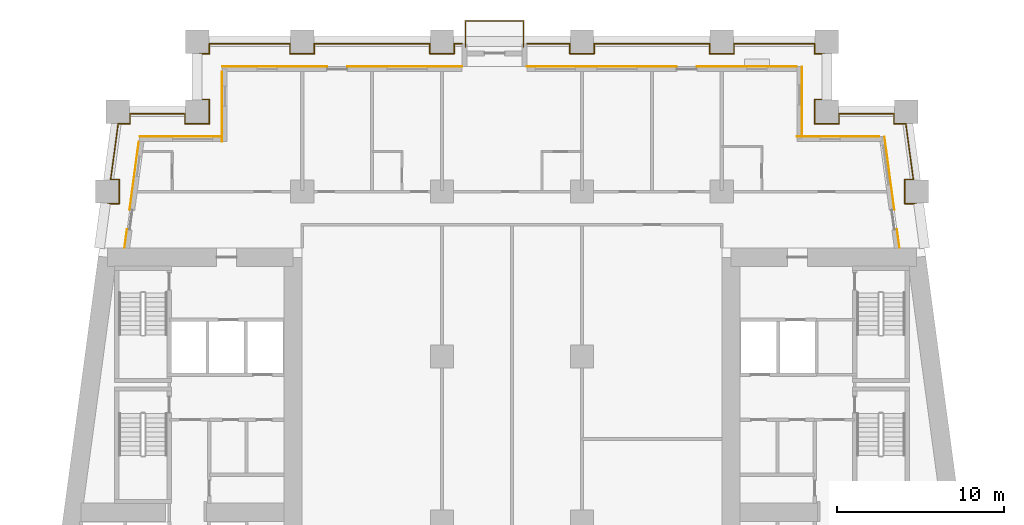
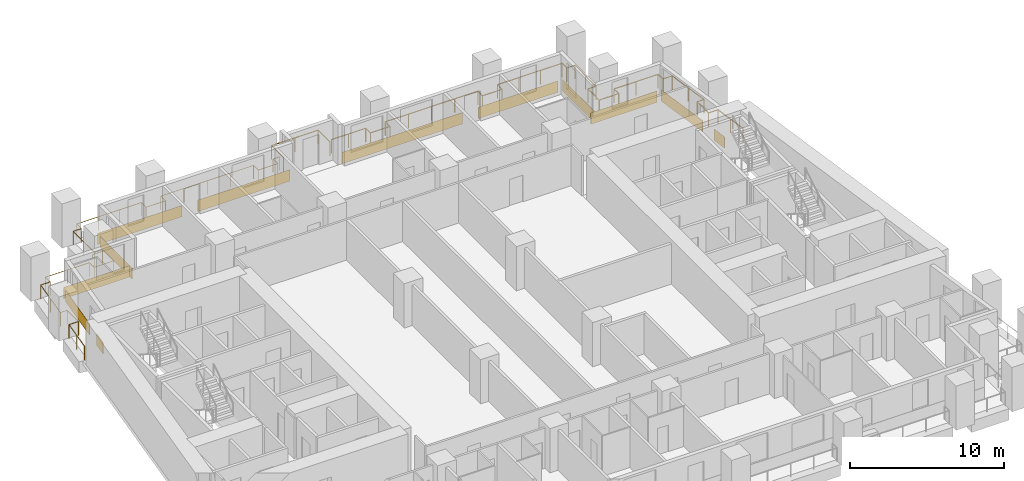
# One storey, part 12 of 13: 12 coverings, 3 railings.
"""IFC4 building model written with IfcOpenShell, lengths in metres."""

from ifc_helpers import new_model, si_unit, direction, frame, origin, origin_2d, place, context, subcontext, project, spatial, rectangle, circle, extrude, material, layer, layer_set, type_object, element, save


model = new_model("IFC4")

# Units and contexts
model_context = context("Model", 3, precision=1e-05, world=origin(), true_north=direction((0.0, 1.0)))
body_context = subcontext(model_context, "Body", "Model", "MODEL_VIEW")
ifc_project = project(units=[si_unit("LENGTHUNIT", "METRE"), si_unit("AREAUNIT", "SQUARE_METRE"), si_unit("VOLUMEUNIT", "CUBIC_METRE"), si_unit("PLANEANGLEUNIT", "RADIAN"), si_unit("MASSUNIT", "GRAM", prefix="KILO")], contexts=[model_context])

# Site, building, storey
site_placement = place(None, origin())
site = spatial("IfcSite", under=ifc_project, at=site_placement, CompositionType="ELEMENT")
building_placement = place(site_placement, origin())
building = spatial("IfcBuilding", under=site, at=building_placement, Name="Candeia Pilgrim Tower and Theatre", CompositionType="ELEMENT")
storey_placement = place(building_placement, frame((0.0, 0.0, 67.0)))
storey = spatial("IfcBuildingStorey", under=building, at=storey_placement, Name="L14", CompositionType="ELEMENT", Elevation=67.0)

# Railings
ifc_material_1 = material(Name="Stainless steel balustrade", Category="steel")
railing_type = type_object("IfcRailingType", Name="G1 loggia guard 1100", PredefinedType="GUARDRAIL", material=ifc_material_1)
railing_1_placement = place(storey_placement, frame((88.758544921875, 132.449951171875, 0.0)))
element("IfcRailing", 1, at=railing_1_placement, inside=storey, type_object=railing_type, Name="Guard L14.2", PredefinedType="GUARDRAIL", context=body_context, shape_type="SweptSolid", body=[
    extrude(circle(Radius=0.02392578125, at=origin_2d()), frame((0.0, 0.0, 1.076171875), z_axis=(0.133439920495, 0.991056904329, 0.0), x_axis=(-0.991056904329, 0.133439920495, 0.0)), (0.0, 0.0, 1.0), 2.643798828125),
    extrude(circle(Radius=0.02392578125, at=origin_2d()), frame((0.352783203125, 2.6201171875, 1.076171875), z_axis=(1.0, 0.0, 0.0), x_axis=(0.0, 1.0, 0.0)), (0.0, 0.0, 1.0), 0.70703125),
    extrude(circle(Radius=0.02392578125, at=origin_2d()), frame((1.059814453125, 2.6201171875, 1.076171875), z_axis=(0.0, 1.0, 0.0), x_axis=(-1.0, 0.0, 0.0)), (0.0, 0.0, 1.0), 1.4599609375),
    extrude(circle(Radius=0.02392578125, at=origin_2d()), frame((1.059814453125, 4.080078125, 1.076171875), z_axis=(-1.0, 0.0, 0.0), x_axis=(0.0, -1.0, 0.0)), (0.0, 0.0, 1.0), 0.510498046875),
    extrude(circle(Radius=0.02392578125, at=origin_2d()), frame((0.54931640625, 4.080078125, 1.076171875), z_axis=(0.133364121373, 0.991067107279, 0.0), x_axis=(-0.991067107279, 0.133364121373, 0.0)), (0.0, 0.0, 1.0), 3.3701171875),
    extrude(circle(Radius=0.02392578125, at=origin_2d()), frame((0.998779296875, 7.420166015625, 1.076171875), z_axis=(1.0, 0.0, 0.0), x_axis=(0.0, 1.0, 0.0)), (0.0, 0.0, 1.0), 0.707275390625),
    extrude(circle(Radius=0.02392578125, at=origin_2d()), frame((1.7060546875, 7.420166015625, 1.076171875), z_axis=(0.0, 1.0, 0.0), x_axis=(-1.0, 0.0, 0.0)), (0.0, 0.0, 1.0), 0.60986328125),
    extrude(circle(Radius=0.02392578125, at=origin_2d()), frame((1.7060546875, 8.030029296875, 1.076171875), z_axis=(1.0, 0.0, 0.0), x_axis=(0.0, 1.0, 0.0)), (0.0, 0.0, 1.0), 3.305419921875),
    extrude(circle(Radius=0.02392578125, at=origin_2d()), frame((5.011474609375, 8.030029296875, 1.076171875), z_axis=(0.0, -1.0, 0.0), x_axis=(1.0, 0.0, 0.0)), (0.0, 0.0, 1.0), 0.60986328125),
    extrude(circle(Radius=0.02392578125, at=origin_2d()), frame((5.011474609375, 7.420166015625, 1.076171875), z_axis=(1.0, 0.0, 0.0), x_axis=(0.0, 1.0, 0.0)), (0.0, 0.0, 1.0), 1.4599609375),
    extrude(circle(Radius=0.02392578125, at=origin_2d()), frame((6.471435546875, 7.420166015625, 1.076171875), z_axis=(0.0, 1.0, 0.0), x_axis=(-1.0, 0.0, 0.0)), (0.0, 0.0, 1.0), 1.4599609375),
    extrude(circle(Radius=0.02392578125, at=origin_2d()), frame((6.471435546875, 8.880126953125, 1.076171875), z_axis=(-1.0, 0.0, 0.0), x_axis=(0.0, -1.0, 0.0)), (0.0, 0.0, 1.0), 0.60986328125),
    extrude(circle(Radius=0.02392578125, at=origin_2d()), frame((5.861572265625, 8.880126953125, 1.076171875), z_axis=(0.0, 1.0, 0.0), x_axis=(-1.0, 0.0, 0.0)), (0.0, 0.0, 1.0), 2.739990234375),
    extrude(circle(Radius=0.02392578125, at=origin_2d()), frame((5.861572265625, 11.6201171875, 1.076171875), z_axis=(1.0, 0.0, 0.0), x_axis=(0.0, 1.0, 0.0)), (0.0, 0.0, 1.0), 0.60986328125),
    extrude(circle(Radius=0.02392578125, at=origin_2d()), frame((6.471435546875, 11.6201171875, 1.076171875), z_axis=(0.0, 1.0, 0.0), x_axis=(-1.0, 0.0, 0.0)), (0.0, 0.0, 1.0), 0.60986328125),
    extrude(circle(Radius=0.02392578125, at=origin_2d()), frame((6.471435546875, 12.22998046875, 1.076171875), z_axis=(1.0, 0.0, 0.0), x_axis=(0.0, 1.0, 0.0)), (0.0, 0.0, 1.0), 4.840087890625),
    extrude(circle(Radius=0.02392578125, at=origin_2d()), frame((11.3115234375, 12.22998046875, 1.076171875), z_axis=(0.0, -1.0, 0.0), x_axis=(1.0, 0.0, 0.0)), (0.0, 0.0, 1.0), 0.60986328125),
    extrude(circle(Radius=0.02392578125, at=origin_2d()), frame((11.3115234375, 11.6201171875, 1.076171875), z_axis=(1.0, 0.0, 0.0), x_axis=(0.0, 1.0, 0.0)), (0.0, 0.0, 1.0), 1.4599609375),
    extrude(circle(Radius=0.02392578125, at=origin_2d()), frame((12.771484375, 11.6201171875, 1.076171875), z_axis=(0.0, 1.0, 0.0), x_axis=(-1.0, 0.0, 0.0)), (0.0, 0.0, 1.0), 0.60986328125),
    extrude(circle(Radius=0.02392578125, at=origin_2d()), frame((12.771484375, 12.22998046875, 1.076171875), z_axis=(1.0, 0.0, 0.0), x_axis=(0.0, 1.0, 0.0)), (0.0, 0.0, 1.0), 6.93994140625),
    extrude(circle(Radius=0.02392578125, at=origin_2d()), frame((19.71142578125, 12.22998046875, 1.076171875), z_axis=(0.0, -1.0, 0.0), x_axis=(1.0, 0.0, 0.0)), (0.0, 0.0, 1.0), 0.60986328125),
    extrude(circle(Radius=0.02392578125, at=origin_2d()), frame((19.71142578125, 11.6201171875, 1.076171875), z_axis=(1.0, 0.0, 0.0), x_axis=(0.0, 1.0, 0.0)), (0.0, 0.0, 1.0), 1.4599609375),
    extrude(circle(Radius=0.02392578125, at=origin_2d()), frame((21.17138671875, 11.6201171875, 1.076171875), z_axis=(0.0, 1.0, 0.0), x_axis=(-1.0, 0.0, 0.0)), (0.0, 0.0, 1.0), 0.60986328125),
    extrude(circle(Radius=0.02392578125, at=origin_2d()), frame((21.17138671875, 12.22998046875, 1.076171875), z_axis=(1.0, 0.0, 0.0), x_axis=(0.0, 1.0, 0.0)), (0.0, 0.0, 1.0), 0.469970703125),
    extrude(circle(Radius=0.02099609375, at=origin_2d()), origin(), (0.0, 0.0, 1.0), 1.052001953125),
    extrude(circle(Radius=0.02099609375, at=origin_2d()), frame((0.17626953125, 1.31005859375, 0.0)), (0.0, 0.0, 1.0), 1.052001953125),
    extrude(circle(Radius=0.02099609375, at=origin_2d()), frame((0.352783203125, 2.6201171875, 0.0)), (0.0, 0.0, 1.0), 1.052001953125),
    extrude(circle(Radius=0.02099609375, at=origin_2d()), frame((1.059814453125, 2.6201171875, 0.0)), (0.0, 0.0, 1.0), 1.052001953125),
    extrude(circle(Radius=0.02099609375, at=origin_2d()), frame((1.059814453125, 4.080078125, 0.0)), (0.0, 0.0, 1.0), 1.052001953125),
    extrude(circle(Radius=0.02099609375, at=origin_2d()), frame((0.54931640625, 4.080078125, 0.0)), (0.0, 0.0, 1.0), 1.052001953125),
    extrude(circle(Radius=0.02099609375, at=origin_2d()), frame((0.77392578125, 5.75, 0.0)), (0.0, 0.0, 1.0), 1.052001953125),
    extrude(circle(Radius=0.02099609375, at=origin_2d()), frame((0.998779296875, 7.420166015625, 0.0)), (0.0, 0.0, 1.0), 1.052001953125),
    extrude(circle(Radius=0.02099609375, at=origin_2d()), frame((1.7060546875, 7.420166015625, 0.0)), (0.0, 0.0, 1.0), 1.052001953125),
    extrude(circle(Radius=0.02099609375, at=origin_2d()), frame((1.7060546875, 8.030029296875, 0.0)), (0.0, 0.0, 1.0), 1.052001953125),
    extrude(circle(Radius=0.02099609375, at=origin_2d()), frame((3.35888671875, 8.030029296875, 0.0)), (0.0, 0.0, 1.0), 1.052001953125),
    extrude(circle(Radius=0.02099609375, at=origin_2d()), frame((5.011474609375, 8.030029296875, 0.0)), (0.0, 0.0, 1.0), 1.052001953125),
    extrude(circle(Radius=0.02099609375, at=origin_2d()), frame((5.011474609375, 7.420166015625, 0.0)), (0.0, 0.0, 1.0), 1.052001953125),
    extrude(circle(Radius=0.02099609375, at=origin_2d()), frame((6.471435546875, 7.420166015625, 0.0)), (0.0, 0.0, 1.0), 1.052001953125),
    extrude(circle(Radius=0.02099609375, at=origin_2d()), frame((6.471435546875, 8.880126953125, 0.0)), (0.0, 0.0, 1.0), 1.052001953125),
    extrude(circle(Radius=0.02099609375, at=origin_2d()), frame((5.861572265625, 8.880126953125, 0.0)), (0.0, 0.0, 1.0), 1.052001953125),
    extrude(circle(Radius=0.02099609375, at=origin_2d()), frame((5.861572265625, 10.25, 0.0)), (0.0, 0.0, 1.0), 1.052001953125),
    extrude(circle(Radius=0.02099609375, at=origin_2d()), frame((5.861572265625, 11.6201171875, 0.0)), (0.0, 0.0, 1.0), 1.052001953125),
    extrude(circle(Radius=0.02099609375, at=origin_2d()), frame((6.471435546875, 11.6201171875, 0.0)), (0.0, 0.0, 1.0), 1.052001953125),
    extrude(circle(Radius=0.02099609375, at=origin_2d()), frame((6.471435546875, 12.22998046875, 0.0)), (0.0, 0.0, 1.0), 1.052001953125),
    extrude(circle(Radius=0.02099609375, at=origin_2d()), frame((8.084716796875, 12.22998046875, 0.0)), (0.0, 0.0, 1.0), 1.052001953125),
    extrude(circle(Radius=0.02099609375, at=origin_2d()), frame((9.6982421875, 12.22998046875, 0.0)), (0.0, 0.0, 1.0), 1.052001953125),
    extrude(circle(Radius=0.02099609375, at=origin_2d()), frame((11.3115234375, 12.22998046875, 0.0)), (0.0, 0.0, 1.0), 1.052001953125),
    extrude(circle(Radius=0.02099609375, at=origin_2d()), frame((11.3115234375, 11.6201171875, 0.0)), (0.0, 0.0, 1.0), 1.052001953125),
    extrude(circle(Radius=0.02099609375, at=origin_2d()), frame((12.771484375, 11.6201171875, 0.0)), (0.0, 0.0, 1.0), 1.052001953125),
    extrude(circle(Radius=0.02099609375, at=origin_2d()), frame((12.771484375, 12.22998046875, 0.0)), (0.0, 0.0, 1.0), 1.052001953125),
    extrude(circle(Radius=0.02099609375, at=origin_2d()), frame((14.50634765625, 12.22998046875, 0.0)), (0.0, 0.0, 1.0), 1.052001953125),
    extrude(circle(Radius=0.02099609375, at=origin_2d()), frame((16.241455078125, 12.22998046875, 0.0)), (0.0, 0.0, 1.0), 1.052001953125),
    extrude(circle(Radius=0.02099609375, at=origin_2d()), frame((17.9765625, 12.22998046875, 0.0)), (0.0, 0.0, 1.0), 1.052001953125),
    extrude(circle(Radius=0.02099609375, at=origin_2d()), frame((19.71142578125, 12.22998046875, 0.0)), (0.0, 0.0, 1.0), 1.052001953125),
    extrude(circle(Radius=0.02099609375, at=origin_2d()), frame((19.71142578125, 11.6201171875, 0.0)), (0.0, 0.0, 1.0), 1.052001953125),
    extrude(circle(Radius=0.02099609375, at=origin_2d()), frame((21.17138671875, 11.6201171875, 0.0)), (0.0, 0.0, 1.0), 1.052001953125),
    extrude(circle(Radius=0.02099609375, at=origin_2d()), frame((21.17138671875, 12.22998046875, 0.0)), (0.0, 0.0, 1.0), 1.052001953125),
    extrude(circle(Radius=0.02099609375, at=origin_2d()), frame((21.641357421875, 12.22998046875, 0.0)), (0.0, 0.0, 1.0), 1.052001953125),
])
railing_2_placement = place(storey_placement, frame((114.300048828125, 144.679931640625, 0.0)))
element("IfcRailing", 2, at=railing_2_placement, inside=storey, type_object=railing_type, Name="Guard L14.3", PredefinedType="GUARDRAIL", context=body_context, shape_type="SweptSolid", body=[
    extrude(circle(Radius=0.02392578125, at=origin_2d()), frame((0.0, 0.0, 1.076171875), z_axis=(1.0, 0.0, 0.0), x_axis=(0.0, 1.0, 0.0)), (0.0, 0.0, 1.0), 2.570068359375),
    extrude(circle(Radius=0.02392578125, at=origin_2d()), frame((2.570068359375, 0.0, 1.076171875), z_axis=(0.0, -1.0, 0.0), x_axis=(1.0, 0.0, 0.0)), (0.0, 0.0, 1.0), 0.60986328125),
    extrude(circle(Radius=0.02392578125, at=origin_2d()), frame((2.570068359375, -0.60986328125, 1.076171875), z_axis=(1.0, 0.0, 0.0), x_axis=(0.0, 1.0, 0.0)), (0.0, 0.0, 1.0), 1.4599609375),
    extrude(circle(Radius=0.02392578125, at=origin_2d()), frame((4.030029296875, -0.60986328125, 1.076171875), z_axis=(0.0, 1.0, 0.0), x_axis=(-1.0, 0.0, 0.0)), (0.0, 0.0, 1.0), 0.60986328125),
    extrude(circle(Radius=0.02392578125, at=origin_2d()), frame((4.030029296875, 0.0, 1.076171875), z_axis=(1.0, 0.0, 0.0), x_axis=(0.0, 1.0, 0.0)), (0.0, 0.0, 1.0), 6.93994140625),
    extrude(circle(Radius=0.02392578125, at=origin_2d()), frame((10.969970703125, 0.0, 1.076171875), z_axis=(0.0, -1.0, 0.0), x_axis=(1.0, 0.0, 0.0)), (0.0, 0.0, 1.0), 0.60986328125),
    extrude(circle(Radius=0.02392578125, at=origin_2d()), frame((10.969970703125, -0.60986328125, 1.076171875), z_axis=(1.0, 0.0, 0.0), x_axis=(0.0, 1.0, 0.0)), (0.0, 0.0, 1.0), 1.4599609375),
    extrude(circle(Radius=0.02392578125, at=origin_2d()), frame((12.429931640625, -0.60986328125, 1.076171875), z_axis=(0.0, 1.0, 0.0), x_axis=(-1.0, 0.0, 0.0)), (0.0, 0.0, 1.0), 0.60986328125),
    extrude(circle(Radius=0.02392578125, at=origin_2d()), frame((12.429931640625, 0.0, 1.076171875), z_axis=(1.0, 0.0, 0.0), x_axis=(0.0, 1.0, 0.0)), (0.0, 0.0, 1.0), 4.840087890625),
    extrude(circle(Radius=0.02392578125, at=origin_2d()), frame((17.27001953125, 0.0, 1.076171875), z_axis=(0.0, -1.0, 0.0), x_axis=(1.0, 0.0, 0.0)), (0.0, 0.0, 1.0), 0.60986328125),
    extrude(circle(Radius=0.02392578125, at=origin_2d()), frame((17.27001953125, -0.60986328125, 1.076171875), z_axis=(1.0, 0.0, 0.0), x_axis=(0.0, 1.0, 0.0)), (0.0, 0.0, 1.0), 0.60986328125),
    extrude(circle(Radius=0.02392578125, at=origin_2d()), frame((17.8798828125, -0.60986328125, 1.076171875), z_axis=(0.0, -1.0, 0.0), x_axis=(1.0, 0.0, 0.0)), (0.0, 0.0, 1.0), 2.739990234375),
    extrude(circle(Radius=0.02392578125, at=origin_2d()), frame((17.8798828125, -3.349853515625, 1.076171875), z_axis=(-1.0, 0.0, 0.0), x_axis=(0.0, -1.0, 0.0)), (0.0, 0.0, 1.0), 0.60986328125),
    extrude(circle(Radius=0.02392578125, at=origin_2d()), frame((17.27001953125, -3.349853515625, 1.076171875), z_axis=(0.0, -1.0, 0.0), x_axis=(1.0, 0.0, 0.0)), (0.0, 0.0, 1.0), 1.4599609375),
    extrude(circle(Radius=0.02392578125, at=origin_2d()), frame((17.27001953125, -4.809814453125, 1.076171875), z_axis=(1.0, 0.0, 0.0), x_axis=(0.0, 1.0, 0.0)), (0.0, 0.0, 1.0), 1.4599609375),
    extrude(circle(Radius=0.02392578125, at=origin_2d()), frame((18.72998046875, -4.809814453125, 1.076171875), z_axis=(0.0, 1.0, 0.0), x_axis=(-1.0, 0.0, 0.0)), (0.0, 0.0, 1.0), 0.60986328125),
    extrude(circle(Radius=0.02392578125, at=origin_2d()), frame((18.72998046875, -4.199951171875, 1.076171875), z_axis=(1.0, 0.0, 0.0), x_axis=(0.0, 1.0, 0.0)), (0.0, 0.0, 1.0), 3.305419921875),
    extrude(circle(Radius=0.02392578125, at=origin_2d()), frame((22.035400390625, -4.199951171875, 1.076171875), z_axis=(0.0, -1.0, 0.0), x_axis=(1.0, 0.0, 0.0)), (0.0, 0.0, 1.0), 0.60986328125),
    extrude(circle(Radius=0.02392578125, at=origin_2d()), frame((22.035400390625, -4.809814453125, 1.076171875), z_axis=(1.0, 0.0, 0.0), x_axis=(0.0, 1.0, 0.0)), (0.0, 0.0, 1.0), 0.70703125),
    extrude(circle(Radius=0.02392578125, at=origin_2d()), frame((22.742431640625, -4.809814453125, 1.076171875), z_axis=(0.133435273035, -0.991057530071, 0.0), x_axis=(0.991057530071, 0.133435273035, 0.0)), (0.0, 0.0, 1.0), 3.3701171875),
    extrude(circle(Radius=0.02392578125, at=origin_2d()), frame((23.192138671875, -8.14990234375, 1.076171875), z_axis=(-1.0, 0.0, 0.0), x_axis=(0.0, -1.0, 0.0)), (0.0, 0.0, 1.0), 0.5107421875),
    extrude(circle(Radius=0.02392578125, at=origin_2d()), frame((22.681396484375, -8.14990234375, 1.076171875), z_axis=(0.0, -1.0, 0.0), x_axis=(1.0, 0.0, 0.0)), (0.0, 0.0, 1.0), 1.4599609375),
    extrude(circle(Radius=0.02392578125, at=origin_2d()), frame((22.681396484375, -9.60986328125, 1.076171875), z_axis=(1.0, 0.0, 0.0), x_axis=(0.0, 1.0, 0.0)), (0.0, 0.0, 1.0), 0.707275390625),
    extrude(circle(Radius=0.02392578125, at=origin_2d()), frame((23.388671875, -9.60986328125, 1.076171875), z_axis=(0.133439920495, -0.991056904329, 0.0), x_axis=(0.991056904329, 0.133439920495, 0.0)), (0.0, 0.0, 1.0), 2.643798828125),
    extrude(circle(Radius=0.02099609375, at=origin_2d()), origin(), (0.0, 0.0, 1.0), 1.052001953125),
    extrude(circle(Radius=0.02099609375, at=origin_2d()), frame((1.28515625, 0.0, 0.0)), (0.0, 0.0, 1.0), 1.052001953125),
    extrude(circle(Radius=0.02099609375, at=origin_2d()), frame((2.570068359375, 0.0, 0.0)), (0.0, 0.0, 1.0), 1.052001953125),
    extrude(circle(Radius=0.02099609375, at=origin_2d()), frame((2.570068359375, -0.60986328125, 0.0)), (0.0, 0.0, 1.0), 1.052001953125),
    extrude(circle(Radius=0.02099609375, at=origin_2d()), frame((4.030029296875, -0.60986328125, 0.0)), (0.0, 0.0, 1.0), 1.052001953125),
    extrude(circle(Radius=0.02099609375, at=origin_2d()), frame((4.030029296875, 0.0, 0.0)), (0.0, 0.0, 1.0), 1.052001953125),
    extrude(circle(Radius=0.02099609375, at=origin_2d()), frame((5.76513671875, 0.0, 0.0)), (0.0, 0.0, 1.0), 1.052001953125),
    extrude(circle(Radius=0.02099609375, at=origin_2d()), frame((7.5, 0.0, 0.0)), (0.0, 0.0, 1.0), 1.052001953125),
    extrude(circle(Radius=0.02099609375, at=origin_2d()), frame((9.23486328125, 0.0, 0.0)), (0.0, 0.0, 1.0), 1.052001953125),
    extrude(circle(Radius=0.02099609375, at=origin_2d()), frame((10.969970703125, 0.0, 0.0)), (0.0, 0.0, 1.0), 1.052001953125),
    extrude(circle(Radius=0.02099609375, at=origin_2d()), frame((10.969970703125, -0.60986328125, 0.0)), (0.0, 0.0, 1.0), 1.052001953125),
    extrude(circle(Radius=0.02099609375, at=origin_2d()), frame((12.429931640625, -0.60986328125, 0.0)), (0.0, 0.0, 1.0), 1.052001953125),
    extrude(circle(Radius=0.02099609375, at=origin_2d()), frame((12.429931640625, 0.0, 0.0)), (0.0, 0.0, 1.0), 1.052001953125),
    extrude(circle(Radius=0.02099609375, at=origin_2d()), frame((14.043212890625, 0.0, 0.0)), (0.0, 0.0, 1.0), 1.052001953125),
    extrude(circle(Radius=0.02099609375, at=origin_2d()), frame((15.65673828125, 0.0, 0.0)), (0.0, 0.0, 1.0), 1.052001953125),
    extrude(circle(Radius=0.02099609375, at=origin_2d()), frame((17.27001953125, 0.0, 0.0)), (0.0, 0.0, 1.0), 1.052001953125),
    extrude(circle(Radius=0.02099609375, at=origin_2d()), frame((17.27001953125, -0.60986328125, 0.0)), (0.0, 0.0, 1.0), 1.052001953125),
    extrude(circle(Radius=0.02099609375, at=origin_2d()), frame((17.8798828125, -0.60986328125, 0.0)), (0.0, 0.0, 1.0), 1.052001953125),
    extrude(circle(Radius=0.02099609375, at=origin_2d()), frame((17.8798828125, -1.97998046875, 0.0)), (0.0, 0.0, 1.0), 1.052001953125),
    extrude(circle(Radius=0.02099609375, at=origin_2d()), frame((17.8798828125, -3.349853515625, 0.0)), (0.0, 0.0, 1.0), 1.052001953125),
    extrude(circle(Radius=0.02099609375, at=origin_2d()), frame((17.27001953125, -3.349853515625, 0.0)), (0.0, 0.0, 1.0), 1.052001953125),
    extrude(circle(Radius=0.02099609375, at=origin_2d()), frame((17.27001953125, -4.809814453125, 0.0)), (0.0, 0.0, 1.0), 1.052001953125),
    extrude(circle(Radius=0.02099609375, at=origin_2d()), frame((18.72998046875, -4.809814453125, 0.0)), (0.0, 0.0, 1.0), 1.052001953125),
    extrude(circle(Radius=0.02099609375, at=origin_2d()), frame((18.72998046875, -4.199951171875, 0.0)), (0.0, 0.0, 1.0), 1.052001953125),
    extrude(circle(Radius=0.02099609375, at=origin_2d()), frame((20.3828125, -4.199951171875, 0.0)), (0.0, 0.0, 1.0), 1.052001953125),
    extrude(circle(Radius=0.02099609375, at=origin_2d()), frame((22.035400390625, -4.199951171875, 0.0)), (0.0, 0.0, 1.0), 1.052001953125),
    extrude(circle(Radius=0.02099609375, at=origin_2d()), frame((22.035400390625, -4.809814453125, 0.0)), (0.0, 0.0, 1.0), 1.052001953125),
    extrude(circle(Radius=0.02099609375, at=origin_2d()), frame((22.742431640625, -4.809814453125, 0.0)), (0.0, 0.0, 1.0), 1.052001953125),
    extrude(circle(Radius=0.02099609375, at=origin_2d()), frame((22.96728515625, -6.47998046875, 0.0)), (0.0, 0.0, 1.0), 1.052001953125),
    extrude(circle(Radius=0.02099609375, at=origin_2d()), frame((23.192138671875, -8.14990234375, 0.0)), (0.0, 0.0, 1.0), 1.052001953125),
    extrude(circle(Radius=0.02099609375, at=origin_2d()), frame((22.681396484375, -8.14990234375, 0.0)), (0.0, 0.0, 1.0), 1.052001953125),
    extrude(circle(Radius=0.02099609375, at=origin_2d()), frame((22.681396484375, -9.60986328125, 0.0)), (0.0, 0.0, 1.0), 1.052001953125),
    extrude(circle(Radius=0.02099609375, at=origin_2d()), frame((23.388671875, -9.60986328125, 0.0)), (0.0, 0.0, 1.0), 1.052001953125),
    extrude(circle(Radius=0.02099609375, at=origin_2d()), frame((23.56494140625, -10.919921875, 0.0)), (0.0, 0.0, 1.0), 1.052001953125),
    extrude(circle(Radius=0.02099609375, at=origin_2d()), frame((23.741455078125, -12.22998046875, 0.0)), (0.0, 0.0, 1.0), 1.052001953125),
])
railing_3_placement = place(storey_placement, frame((110.610107421875, 144.5, 0.0)))
element("IfcRailing", 3, at=railing_3_placement, inside=storey, type_object=railing_type, Name="Balcony guard L14", PredefinedType="GUARDRAIL", context=body_context, shape_type="SweptSolid", body=[
    extrude(circle(Radius=0.02392578125, at=origin_2d()), frame((0.0, 0.0, 1.076171875), z_axis=(0.0, 1.0, 0.0), x_axis=(-1.0, 0.0, 0.0)), (0.0, 0.0, 1.0), 1.5400390625),
    extrude(circle(Radius=0.02392578125, at=origin_2d()), frame((0.0, 1.5400390625, 1.076171875), z_axis=(1.0, 0.0, 0.0), x_axis=(0.0, 1.0, 0.0)), (0.0, 0.0, 1.0), 3.47998046875),
    extrude(circle(Radius=0.02392578125, at=origin_2d()), frame((3.47998046875, 1.5400390625, 1.076171875), z_axis=(0.0, -1.0, 0.0), x_axis=(1.0, 0.0, 0.0)), (0.0, 0.0, 1.0), 1.5400390625),
    extrude(circle(Radius=0.02099609375, at=origin_2d()), origin(), (0.0, 0.0, 1.0), 1.052001953125),
    extrude(circle(Radius=0.02099609375, at=origin_2d()), frame((0.0, 1.5400390625, 0.0)), (0.0, 0.0, 1.0), 1.052001953125),
    extrude(circle(Radius=0.02099609375, at=origin_2d()), frame((1.739990234375, 1.5400390625, 0.0)), (0.0, 0.0, 1.0), 1.052001953125),
    extrude(circle(Radius=0.02099609375, at=origin_2d()), frame((3.47998046875, 1.5400390625, 0.0)), (0.0, 0.0, 1.0), 1.052001953125),
    extrude(circle(Radius=0.02099609375, at=origin_2d()), frame((3.47998046875, 0.0, 0.0)), (0.0, 0.0, 1.0), 1.052001953125),
])

# Coverings
ifc_material_2 = material(Name="Glazed ceramic tile deep red")
ifc_layer = layer(ifc_material_2, 0.02001953125)
ifc_layer_set = layer_set([ifc_layer], Name="Glazed ceramic tile deep red")
covering_type = type_object("IfcCoveringType", Name="Glazed ceramic tile deep red", PredefinedType="CLADDING", material=ifc_layer_set)
covering_1_placement = place(storey_placement, frame((136.588623046875, 132.97412109375, 0.0), z_axis=(0.0, 0.0, 1.0), x_axis=(-0.133412012145, 0.991060661622, 0.0)))
element("IfcCovering", 4, at=covering_1_placement, inside=storey, type_object=covering_type, Name="Tile cladding deep red L14", PredefinedType="CLADDING", context=body_context, shape_type="SweptSolid", body=[
    extrude(rectangle(XDim=1.115234375, YDim=0.02001953125, at=origin_2d()), origin(), (0.0, 0.0, 1.0), 0.89990234375),
])
covering_2_placement = place(storey_placement, frame((136.058837890625, 136.90869140625, 0.0), z_axis=(0.0, 0.0, 1.0), x_axis=(-0.133412012145, 0.991060661622, 0.0)))
element("IfcCovering", 5, at=covering_2_placement, inside=storey, type_object=covering_type, Name="Tile cladding deep red L14", PredefinedType="CLADDING", context=body_context, shape_type="SweptSolid", body=[
    extrude(rectangle(XDim=4.4248046875, YDim=0.02001953125, at=origin_2d()), origin(), (0.0, 0.0, 1.0), 0.89990234375),
])
covering_3_placement = place(storey_placement, frame((132.976318359375, 139.110107421875, 0.0), z_axis=(0.0, 0.0, 1.0), x_axis=(-1.0, 0.0, 0.0)))
element("IfcCovering", 6, at=covering_3_placement, inside=storey, type_object=covering_type, Name="Tile cladding deep red L14", PredefinedType="CLADDING", context=body_context, shape_type="SweptSolid", body=[
    extrude(rectangle(XDim=4.95263671875, YDim=0.02001953125, at=origin_2d()), origin(), (0.0, 0.0, 1.0), 0.89990234375),
])
covering_4_placement = place(storey_placement, frame((130.81005859375, 141.2099609375, 0.0), z_axis=(0.0, 0.0, 1.0), x_axis=(0.0, 1.0, 0.0)))
element("IfcCovering", 7, at=covering_4_placement, inside=storey, type_object=covering_type, Name="Tile cladding deep red L14", PredefinedType="CLADDING", context=body_context, shape_type="SweptSolid", body=[
    extrude(rectangle(XDim=4.179931640625, YDim=0.02001953125, at=origin_2d()), origin(), (0.0, 0.0, 1.0), 0.89990234375),
])
covering_5_placement = place(storey_placement, frame((127.489990234375, 143.31005859375, 0.0), z_axis=(0.0, 0.0, 1.0), x_axis=(-1.0, 0.0, 0.0)))
element("IfcCovering", 8, at=covering_5_placement, inside=storey, type_object=covering_type, Name="Tile cladding deep red L14", PredefinedType="CLADDING", context=body_context, shape_type="SweptSolid", body=[
    extrude(rectangle(XDim=5.97998046875, YDim=0.02001953125, at=origin_2d()), origin(), (0.0, 0.0, 1.0), 0.89990234375),
])
covering_6_placement = place(storey_placement, frame((118.800048828125, 143.31005859375, 0.0), z_axis=(0.0, 0.0, 1.0), x_axis=(-1.0, 0.0, 0.0)))
element("IfcCovering", 9, at=covering_6_placement, inside=storey, type_object=covering_type, Name="Tile cladding deep red L14", PredefinedType="CLADDING", context=body_context, shape_type="SweptSolid", body=[
    extrude(rectangle(XDim=9.0, YDim=0.02001953125, at=origin_2d()), origin(), (0.0, 0.0, 1.0), 0.89990234375),
])
covering_7_placement = place(storey_placement, frame((106.949951171875, 143.31005859375, 0.0), z_axis=(0.0, 0.0, 1.0), x_axis=(-1.0, 0.0, 0.0)))
element("IfcCovering", 10, at=covering_7_placement, inside=storey, type_object=covering_type, Name="Tile cladding deep red L14", PredefinedType="CLADDING", context=body_context, shape_type="SweptSolid", body=[
    extrude(rectangle(XDim=6.89990234375, YDim=0.02001953125, at=origin_2d()), origin(), (0.0, 0.0, 1.0), 0.89990234375),
])
covering_8_placement = place(storey_placement, frame((99.14990234375, 143.31005859375, 0.0), z_axis=(0.0, 0.0, 1.0), x_axis=(-1.0, 0.0, 0.0)))
element("IfcCovering", 11, at=covering_8_placement, inside=storey, type_object=covering_type, Name="Tile cladding deep red L14", PredefinedType="CLADDING", context=body_context, shape_type="SweptSolid", body=[
    extrude(rectangle(XDim=6.300048828125, YDim=0.02001953125, at=origin_2d()), origin(), (0.0, 0.0, 1.0), 0.89990234375),
])
covering_9_placement = place(storey_placement, frame((95.989990234375, 140.889892578125, 0.0), z_axis=(0.0, 0.0, 1.0), x_axis=(0.0, -1.0, 0.0)))
element("IfcCovering", 12, at=covering_9_placement, inside=storey, type_object=covering_type, Name="Tile cladding deep red L14", PredefinedType="CLADDING", context=body_context, shape_type="SweptSolid", body=[
    extrude(rectangle(XDim=4.179931640625, YDim=0.02001953125, at=origin_2d()), origin(), (0.0, 0.0, 1.0), 0.89990234375),
])
covering_10_placement = place(storey_placement, frame((93.51318359375, 139.110107421875, 0.0), z_axis=(0.0, 0.0, 1.0), x_axis=(-1.0, 0.0, 0.0)))
element("IfcCovering", 13, at=covering_10_placement, inside=storey, type_object=covering_type, Name="Tile cladding deep red L14", PredefinedType="CLADDING", context=body_context, shape_type="SweptSolid", body=[
    extrude(rectangle(XDim=4.933837890625, YDim=0.02001953125, at=origin_2d()), origin(), (0.0, 0.0, 1.0), 0.89990234375),
])
covering_11_placement = place(storey_placement, frame((90.720947265625, 136.759521484375, 0.0), z_axis=(0.0, 0.0, 1.0), x_axis=(-0.133412012145, -0.991060661622, 0.0)))
element("IfcCovering", 14, at=covering_11_placement, inside=storey, type_object=covering_type, Name="Tile cladding deep red L14", PredefinedType="CLADDING", context=body_context, shape_type="SweptSolid", body=[
    extrude(rectangle(XDim=4.123779296875, YDim=0.02001953125, at=origin_2d()), origin(), (0.0, 0.0, 1.0), 0.89990234375),
])
covering_12_placement = place(storey_placement, frame((90.21142578125, 132.97412109375, 0.0), z_axis=(0.0, 0.0, 1.0), x_axis=(-0.133412012145, -0.991060661622, 0.0)))
element("IfcCovering", 15, at=covering_12_placement, inside=storey, type_object=covering_type, Name="Tile cladding deep red L14", PredefinedType="CLADDING", context=body_context, shape_type="SweptSolid", body=[
    extrude(rectangle(XDim=1.115234375, YDim=0.02001953125, at=origin_2d()), origin(), (0.0, 0.0, 1.0), 0.89990234375),
])

save(model, "model.ifc")
